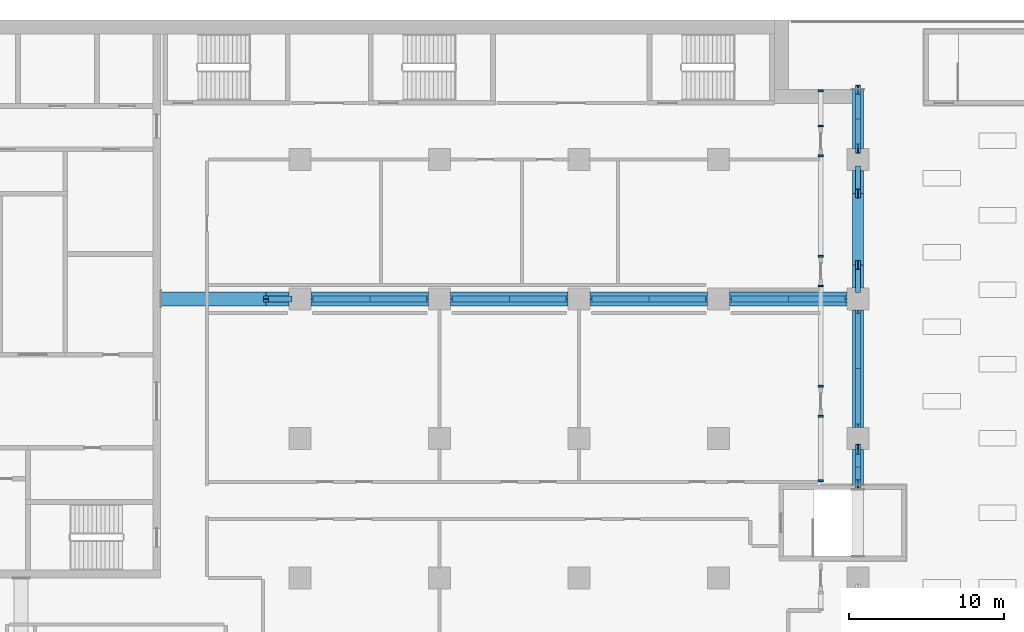
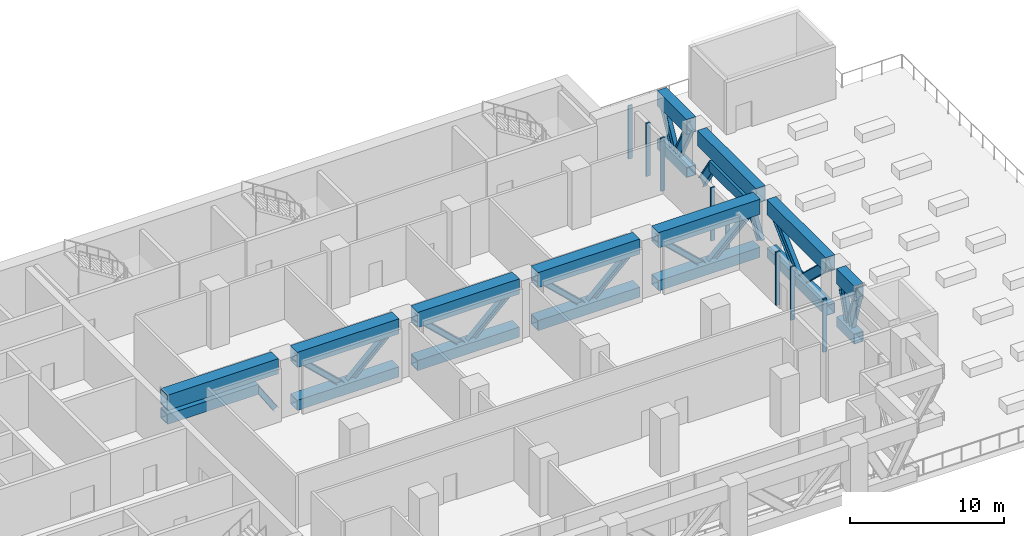
# One storey, part 4 of 24: 43 members.
"""IFC4 building model written with IfcOpenShell, lengths in metres."""

import ifcopenshell
import ifcopenshell.guid

model = None  # the IFC model being written
_history = None  # IfcOwnerHistory: only IFC2X3 demands one
_inside = {}  # id of a spatial element -> (the spatial element, [elements in it])
_under = {}  # id of a project, library or spatial element -> (it, [spatial elements below it])
_declared = {}  # id of a project -> (the project, [libraries it declares])
_typed = {}  # id of a type object -> (the type object, [elements of that type])
_made_of = {}  # id of a material, layer set ... -> (it, [elements and type objects made of it])


def new_model(schema):
    """Start an empty IFC model of exactly this schema.

    Asked for "IFC4X3", IfcOpenShell would pick the latest addendum, in which some entities
    have other attributes; the version numbers below select the first issue.
    IFC2X3 requires an IfcOwnerHistory on every rooted entity: one is made here for all.
    """
    global model, _history
    if schema == "IFC4X3":
        model = ifcopenshell.file(schema_version=(4, 3, 0, 0))
    else:
        model = ifcopenshell.file(schema=schema)
    _inside.clear()
    _under.clear()
    _declared.clear()
    _typed.clear()
    _made_of.clear()
    _history = None
    if model.schema == "IFC2X3":
        org = make("IfcOrganization", Name="unknown")
        user = make(
            "IfcPersonAndOrganization",
            ThePerson=make("IfcPerson", FamilyName="unknown"),
            TheOrganization=org,
        )
        app = make(
            "IfcApplication",
            ApplicationDeveloper=org,
            Version="unknown",
            ApplicationFullName="unknown",
            ApplicationIdentifier="unknown",
        )
        _history = make(
            "IfcOwnerHistory",
            OwningUser=user,
            OwningApplication=app,
            ChangeAction="ADDED",
            CreationDate=0,
        )
    return model


def make(cls, **values):
    """One entity of the class cls with the attributes given. An attribute that is None is left unset."""
    return model.create_entity(
        cls, **{name: value for name, value in values.items() if value is not None}
    )


def rooted(cls, **values):
    """An entity with a GlobalId (a new one), such as an element, a storey or a relation."""
    return make(cls, GlobalId=ifcopenshell.guid.new(), OwnerHistory=_history, **values)


def si_unit(unit_type, name, prefix=None):
    """IfcSIUnit, for example si_unit("LENGTHUNIT", "METRE", prefix="MILLI")."""
    return make("IfcSIUnit", UnitType=unit_type, Prefix=prefix, Name=name)


def assignment(units):
    """IfcUnitAssignment: the units of a project."""
    return None if units is None else make("IfcUnitAssignment", Units=units)


def point(xyz):
    """IfcCartesianPoint."""
    return None if xyz is None else make("IfcCartesianPoint", Coordinates=xyz)


def direction(xyz):
    """IfcDirection."""
    return None if xyz is None else make("IfcDirection", DirectionRatios=xyz)


def frame(location, z_axis=None, x_axis=None):
    """IfcAxis2Placement3D, a coordinate frame: its origin and axes. An axis left out is left unset."""
    return make(
        "IfcAxis2Placement3D",
        Location=point(location),
        Axis=direction(z_axis),
        RefDirection=direction(x_axis),
    )


def frame_2d(location, x_axis=None):
    """IfcAxis2Placement2D, a coordinate frame in the plane: its origin and x axis."""
    return make(
        "IfcAxis2Placement2D", Location=point(location), RefDirection=direction(x_axis)
    )


def origin():
    """The frame at (0, 0, 0) with its axes left unset."""
    return frame((0.0, 0.0, 0.0))


def origin_2d():
    """The frame at (0, 0) in the plane with its x axis left unset."""
    return frame_2d((0.0, 0.0))


def place(relative_to, where):
    """IfcLocalPlacement: puts the frame where relative to a parent placement (None: the world)."""
    return make(
        "IfcLocalPlacement", PlacementRelTo=relative_to, RelativePlacement=where
    )


def context(
    kind, dimensions, precision=None, world=None, true_north=None, identifier=None
):
    """IfcGeometricRepresentationContext, for example the 3D "Model" context."""
    return make(
        "IfcGeometricRepresentationContext",
        ContextIdentifier=identifier,
        ContextType=kind,
        CoordinateSpaceDimension=dimensions,
        Precision=precision,
        WorldCoordinateSystem=world,
        TrueNorth=true_north,
    )


def subcontext(parent, identifier, kind, view, scale=None):
    """IfcGeometricRepresentationSubContext, for example "Body" below "Model"."""
    return make(
        "IfcGeometricRepresentationSubContext",
        ContextIdentifier=identifier,
        ContextType=kind,
        ParentContext=parent,
        TargetScale=scale,
        TargetView=view,
    )


def project(units=None, contexts=None):
    """IfcProject with its units and contexts."""
    return rooted(
        "IfcProject",
        Name="project",
        RepresentationContexts=contexts,
        UnitsInContext=assignment(units),
    )


def spatial(cls, under=None, at=None, **own):
    """A site, building, storey or space (cls), placed at a placement, below another one or the project."""
    s = rooted(cls, ObjectPlacement=at, **own)
    if under is not None:
        _under.setdefault(under.id(), (under, []))[1].append(s)
    return s


def profile(cls, at=None, kind="AREA", **sizes):
    """A parametric profile (cls). Its sizes go by their IFC names, for example OverallWidth=200.0."""
    return make(cls, ProfileType=kind, Position=at, **sizes)


def rectangle(**sizes):
    """IfcRectangleProfileDef."""
    return profile("IfcRectangleProfileDef", **sizes)


def hollow_rectangle(**sizes):
    """IfcRectangleHollowProfileDef."""
    return profile("IfcRectangleHollowProfileDef", **sizes)


def i_section(**sizes):
    """IfcIShapeProfileDef."""
    return profile("IfcIShapeProfileDef", **sizes)


def extrude(swept, where, along, depth):
    """IfcExtrudedAreaSolid: the profile swept, set in the frame where, extruded along a direction by depth."""
    return make(
        "IfcExtrudedAreaSolid",
        SweptArea=swept,
        Position=where,
        ExtrudedDirection=direction(along),
        Depth=depth,
    )


def shape(context_of_items, identifier, shape_type, items):
    """IfcShapeRepresentation: the items that make up one representation, for example the "Body"."""
    return make(
        "IfcShapeRepresentation",
        ContextOfItems=context_of_items,
        RepresentationIdentifier=identifier,
        RepresentationType=shape_type,
        Items=items,
    )


def material(Name=None, Category=None):
    """IfcMaterial."""
    return make("IfcMaterial", Name=Name, Category=Category)


def material_profile(
    of_material, cross_section, Name=None, Category=None, Priority=None
):
    """IfcMaterialProfile: a cross section and its material."""
    return make(
        "IfcMaterialProfile",
        Name=Name,
        Material=of_material,
        Profile=cross_section,
        Priority=Priority,
        Category=Category,
    )


def profile_set(profiles, Name=None, composite=None):
    """IfcMaterialProfileSet."""
    return make(
        "IfcMaterialProfileSet",
        Name=Name,
        MaterialProfiles=profiles,
        CompositeProfile=composite,
    )


def made_of(thing, what):
    """Note that an element or type object is made of a material, layer set ...; save() writes the relation."""
    if what is not None:
        _made_of.setdefault(what.id(), (what, []))[1].append(thing)
    return thing


def type_object(cls, material=None, **own):
    """A type object (cls), such as IfcWallType, which elements share."""
    return made_of(rooted(cls, **own), material)


def element(
    cls,
    number,
    at=None,
    inside=None,
    cuts=None,
    type_object=None,
    material=None,
    context=None,
    identifier="Body",
    shape_type=None,
    held_by="IfcProductDefinitionShape",
    body=None,
    shapes=None,
    **own,
):
    """One element of the class cls, such as IfcWall. Its Tag is "e" and its number.

    at: its placement. inside: the storey or other place that contains it. cuts: it is an
    opening in that element (IfcRelVoidsElement). A single representation is given by context,
    identifier, shape_type and body (its items); several are given by shapes. held_by: the class
    of the entity that holds the representations. save() writes the other relations.
    """
    e = rooted(cls, Tag="e%d" % number, ObjectPlacement=at, **own)
    if body is not None:
        shapes = [shape(context, identifier, shape_type, body)]
    if shapes is not None:
        e.Representation = make(held_by, Representations=shapes)
    if inside is not None:
        _inside.setdefault(inside.id(), (inside, []))[1].append(e)
    if cuts is not None:
        rooted(
            "IfcRelVoidsElement", RelatingBuildingElement=cuts, RelatedOpeningElement=e
        )
    if type_object is not None:
        _typed.setdefault(type_object.id(), (type_object, []))[1].append(e)
    return made_of(e, material)


def aggregate(whole, parts):
    """IfcRelAggregates: a whole, such as a stair, and the parts it consists of."""
    return rooted("IfcRelAggregates", RelatingObject=whole, RelatedObjects=parts)


def save(model, path):
    """Write the relations noted so far, then the file.

    IfcRelAggregates (storeys below a building ...), IfcRelContainedInSpatialStructure (elements
    in a storey), IfcRelDefinesByType, IfcRelAssociatesMaterial and IfcRelDeclares: one each for
    every whole, place, type object, material and project.
    """
    for whole, parts in _under.values():
        aggregate(whole, parts)
    for where, things in _inside.values():
        rooted(
            "IfcRelContainedInSpatialStructure",
            RelatedElements=things,
            RelatingStructure=where,
        )
    for kind, things in _typed.values():
        rooted("IfcRelDefinesByType", RelatedObjects=things, RelatingType=kind)
    for what, things in _made_of.values():
        rooted("IfcRelAssociatesMaterial", RelatedObjects=things, RelatingMaterial=what)
    for by, libraries in _declared.values():
        rooted("IfcRelDeclares", RelatingContext=by, RelatedDefinitions=libraries)
    model.write(path)


model = new_model("IFC4")

# Units and contexts
model_context = context("Model", 3, precision=1e-05, world=origin(), true_north=direction((0.0, 1.0)))
body_context = subcontext(model_context, "Body", "Model", "MODEL_VIEW")
ifc_project = project(units=[si_unit("LENGTHUNIT", "METRE"), si_unit("AREAUNIT", "SQUARE_METRE"), si_unit("VOLUMEUNIT", "CUBIC_METRE"), si_unit("PLANEANGLEUNIT", "RADIAN"), si_unit("MASSUNIT", "GRAM", prefix="KILO")], contexts=[model_context])

# Site, building, storey
site_placement = place(None, origin())
site = spatial("IfcSite", under=ifc_project, at=site_placement, CompositionType="ELEMENT")
building_placement = place(site_placement, origin())
building = spatial("IfcBuilding", under=site, at=building_placement, Name="Hunhe Ridgeline Campus", CompositionType="ELEMENT")
storey_placement = place(building_placement, frame((0.0, 0.0, 80.199951171875)))
storey = spatial("IfcBuildingStorey", under=building, at=storey_placement, Name="L19", CompositionType="ELEMENT", Elevation=80.199951171875)

# Members
ifc_material_1 = material(Name="Steel Q420", Category="steel")
ifc_material_profile_1 = material_profile(ifc_material_1, hollow_rectangle(XDim=0.699951171875, YDim=0.800048828125, WallThickness=0.0400390625, at=origin_2d()))
ifc_profile_set_1 = profile_set([ifc_material_profile_1], Name="Steel Q420")
member_type_1 = type_object("IfcMemberType", Name="Belt truss bottom chord Box 800x700x40 Steel Q420", PredefinedType="CHORD", material=ifc_profile_set_1)
member_1_placement = place(storey_placement, frame((81.0, 69.010009765625, 0.400146484375), z_axis=(0.0, 1.0, 0.0), x_axis=(-1.0, 0.0, 0.0)))
element("IfcMember", 1, at=member_1_placement, inside=storey, type_object=member_type_1, Name="Belt truss BT1 bottom chord L19 76", PredefinedType="CHORD", context=body_context, shape_type="SweptSolid", body=[
    extrude(hollow_rectangle(XDim=0.699951171875, YDim=0.800048828125, WallThickness=0.0400390625, at=origin_2d()), origin(), (0.0, 0.0, 1.0), 2.2900390625),
])
member_2_placement = place(storey_placement, frame((81.0, 72.699951171875, 0.400146484375), z_axis=(0.0, 1.0, 0.0), x_axis=(-1.0, 0.0, 0.0)))
element("IfcMember", 2, at=member_2_placement, inside=storey, type_object=member_type_1, Name="Belt truss BT1 bottom chord L19 80", PredefinedType="CHORD", context=body_context, shape_type="SweptSolid", body=[
    extrude(hollow_rectangle(XDim=0.699951171875, YDim=0.800048828125, WallThickness=0.0400390625, at=origin_2d()), origin(), (0.0, 0.0, 1.0), 7.60009765625),
])
member_3_placement = place(storey_placement, frame((81.0, 83.199951171875, 2.699951171875), z_axis=(0.0, 1.0, 0.0), x_axis=(-1.0, 0.0, 0.0)))
element("IfcMember", 3, at=member_3_placement, inside=storey, type_object=member_type_1, Name="Belt truss BT1 bottom chord L19 84", PredefinedType="CHORD", context=body_context, shape_type="SweptSolid", body=[
    extrude(hollow_rectangle(XDim=0.699951171875, YDim=0.800048828125, WallThickness=0.0400390625, at=origin_2d()), origin(), (0.0, 0.0, 1.0), 4.60009765625),
])
member_4_placement = place(storey_placement, frame((81.0, 90.699951171875, 0.400146484375), z_axis=(0.0, 1.0, 0.0), x_axis=(-1.0, 0.0, 0.0)))
element("IfcMember", 4, at=member_4_placement, inside=storey, type_object=member_type_1, Name="Belt truss BT1 bottom chord L19 88", PredefinedType="CHORD", context=body_context, shape_type="SweptSolid", body=[
    extrude(hollow_rectangle(XDim=0.699951171875, YDim=0.800048828125, WallThickness=0.0400390625, at=origin_2d()), origin(), (0.0, 0.0, 1.0), 3.800048828125),
])
ifc_material_profile_2 = material_profile(ifc_material_1, i_section(OverallWidth=0.300048828125, OverallDepth=0.699951171875, WebThickness=0.012939453125, FlangeThickness=0.02392578125, FilletRadius=0.01806640625, at=origin_2d()))
ifc_profile_set_2 = profile_set([ifc_material_profile_2], Name="Steel Q420")
member_type_2 = type_object("IfcMemberType", Name="Belt truss diagonal HN700x300x13x24 Steel Q420", PredefinedType="BRACE", material=ifc_profile_set_2)
for number, where, z_axis, x_axis, name in (
    (5, (81.0, 69.010009765625, 4.0), (0.0, 0.303110289263, -0.952955482981), (-1.0, 0.0, 0.0), "Belt truss BT1 diagonal L19 77"),
    (6, (81.0, 70.155029296875, 0.400146484375), (0.0, 0.303110289263, 0.952955482981), (-1.0, 0.0, 0.0), "Belt truss BT1 diagonal L19 78"),
):
    element("IfcMember", number, at=place(storey_placement, frame(where, z_axis=z_axis, x_axis=x_axis)), inside=storey, type_object=member_type_2, Name=name, PredefinedType="BRACE", context=body_context, shape_type="SweptSolid", body=[
        extrude(i_section(OverallWidth=0.300048828125, OverallDepth=0.699951171875, WebThickness=0.012939453125, FlangeThickness=0.02392578125, FilletRadius=0.01806640625, at=origin_2d()), origin(), (0.0, 0.0, 1.0), 3.777587890625),
    ])
for number, where, z_axis, x_axis, name in (
    (7, (81.0, 72.699951171875, 4.0), (0.0, 0.725971067789, -0.687725242181), (-1.0, 0.0, 0.0), "Belt truss BT1 diagonal L19 81"),
    (8, (81.0, 76.5, 0.400146484375), (0.0, 0.725971067789, 0.687725242181), (-1.0, 0.0, 0.0), "Belt truss BT1 diagonal L19 82"),
):
    element("IfcMember", number, at=place(storey_placement, frame(where, z_axis=z_axis, x_axis=x_axis)), inside=storey, type_object=member_type_2, Name=name, PredefinedType="BRACE", context=body_context, shape_type="SweptSolid", body=[
        extrude(i_section(OverallWidth=0.300048828125, OverallDepth=0.699951171875, WebThickness=0.012939453125, FlangeThickness=0.02392578125, FilletRadius=0.01806640625, at=origin_2d()), origin(), (0.0, 0.0, 1.0), 5.234375),
    ])
for number, where, z_axis, x_axis, name in (
    (9, (81.0, 81.699951171875, 0.400146484375), (0.0, 0.546300327661, 0.837589369558), (-1.0, 0.0, 0.0), "Belt truss BT1 knee brace L19 85"),
    (10, (81.0, 87.800048828125, 2.699951171875), (0.0, 0.546300327661, -0.837589369558), (-1.0, 0.0, 0.0), "Belt truss BT1 knee brace L19 86"),
):
    element("IfcMember", number, at=place(storey_placement, frame(where, z_axis=z_axis, x_axis=x_axis)), inside=storey, type_object=member_type_2, Name=name, PredefinedType="BRACE", context=body_context, shape_type="SweptSolid", body=[
        extrude(i_section(OverallWidth=0.300048828125, OverallDepth=0.699951171875, WebThickness=0.012939453125, FlangeThickness=0.02392578125, FilletRadius=0.01806640625, at=origin_2d()), origin(), (0.0, 0.0, 1.0), 2.745849609375),
    ])
for number, where, z_axis, x_axis, name in (
    (11, (81.0, 90.699951171875, 4.0), (0.0, 0.466801620076, -0.884362056793), (-1.0, 0.0, 0.0), "Belt truss BT1 diagonal L19 89"),
    (12, (81.0, 92.60009765625, 0.400146484375), (0.0, 0.466754710256, 0.884386816079), (-1.0, 0.0, 0.0), "Belt truss BT1 diagonal L19 90"),
):
    element("IfcMember", number, at=place(storey_placement, frame(where, z_axis=z_axis, x_axis=x_axis)), inside=storey, type_object=member_type_2, Name=name, PredefinedType="BRACE", context=body_context, shape_type="SweptSolid", body=[
        extrude(i_section(OverallWidth=0.300048828125, OverallDepth=0.699951171875, WebThickness=0.012939453125, FlangeThickness=0.02392578125, FilletRadius=0.01806640625, at=origin_2d()), origin(), (0.0, 0.0, 1.0), 4.070556640625),
    ])
ifc_material_profile_3 = material_profile(ifc_material_1, hollow_rectangle(XDim=0.699951171875, YDim=1.199951171875, WallThickness=0.0400390625, at=origin_2d()))
ifc_profile_set_3 = profile_set([ifc_material_profile_3], Name="Steel Q420")
member_type_3 = type_object("IfcMemberType", Name="Belt truss top chord Box 1200x700x40 Steel Q420", PredefinedType="CHORD", material=ifc_profile_set_3)
member_5_placement = place(storey_placement, frame((81.0, 69.010009765625, 4.0), z_axis=(0.0, 1.0, 0.0), x_axis=(-1.0, 0.0, 0.0)))
element("IfcMember", 13, at=member_5_placement, inside=storey, type_object=member_type_3, Name="Belt truss BT1 top chord L19 75", PredefinedType="CHORD", context=body_context, shape_type="SweptSolid", body=[
    extrude(hollow_rectangle(XDim=0.699951171875, YDim=1.199951171875, WallThickness=0.0400390625, at=origin_2d()), origin(), (0.0, 0.0, 1.0), 2.2900390625),
])
for number, where, z_axis, x_axis, name in (
    (14, (81.0, 72.699951171875, 4.0), (0.0, 1.0, 0.0), (-1.0, 0.0, 0.0), "Belt truss BT1 top chord L19 79"),
    (15, (81.0, 81.699951171875, 4.0), (0.0, 1.0, 0.0), (-1.0, 0.0, 0.0), "Belt truss BT1 top chord L19 83"),
):
    element("IfcMember", number, at=place(storey_placement, frame(where, z_axis=z_axis, x_axis=x_axis)), inside=storey, type_object=member_type_3, Name=name, PredefinedType="CHORD", context=body_context, shape_type="SweptSolid", body=[
        extrude(hollow_rectangle(XDim=0.699951171875, YDim=1.199951171875, WallThickness=0.0400390625, at=origin_2d()), origin(), (0.0, 0.0, 1.0), 7.60009765625),
    ])
member_6_placement = place(storey_placement, frame((81.0, 90.699951171875, 4.0), z_axis=(0.0, 1.0, 0.0), x_axis=(-1.0, 0.0, 0.0)))
element("IfcMember", 16, at=member_6_placement, inside=storey, type_object=member_type_3, Name="Belt truss BT1 top chord L19 87", PredefinedType="CHORD", context=body_context, shape_type="SweptSolid", body=[
    extrude(hollow_rectangle(XDim=0.699951171875, YDim=1.199951171875, WallThickness=0.0400390625, at=origin_2d()), origin(), (0.0, 0.0, 1.0), 3.800048828125),
])
ifc_material_2 = material(Name="Aluminium 6063", Category="aluminium")
ifc_material_profile_4 = material_profile(ifc_material_2, rectangle(XDim=0.300048828125, YDim=0.1201171875, at=origin_2d()))
ifc_profile_set_4 = profile_set([ifc_material_profile_4], Name="Aluminium 6063")
member_type_4 = type_object("IfcMemberType", Name="Louvre frame jamb 120x300 Aluminium 6063", PredefinedType="USERDEFINED", material=ifc_profile_set_4)
for number, where, z_axis, x_axis, name in (
    (17, (78.59912109375, 69.260009765625, 0.0), (0.0, 0.0, 1.0), (-1.0, 0.0, 0.0), "Louvre frame jamb 26a"),
    (18, (78.59912109375, 73.440673828125, 0.0), (0.0, 0.0, 1.0), (-1.0, 0.0, 0.0), "Louvre frame jamb 26b"),
    (19, (78.59912109375, 75.360595703125, 0.0), (0.0, 0.0, 1.0), (-1.0, 0.0, 0.0), "Louvre frame jamb 27a"),
    (20, (78.59912109375, 81.84033203125, 0.0), (0.0, 0.0, 1.0), (-1.0, 0.0, 0.0), "Louvre frame jamb 27b"),
    (21, (78.59912109375, 83.76025390625, 0.0), (0.0, 0.0, 1.0), (-1.0, 0.0, 0.0), "Louvre frame jamb 28a"),
    (22, (78.59912109375, 90.240234375, 0.0), (0.0, 0.0, 1.0), (-1.0, 0.0, 0.0), "Louvre frame jamb 28b"),
    (23, (78.59912109375, 92.16015625, 0.0), (0.0, 0.0, 1.0), (-1.0, 0.0, 0.0), "Louvre frame jamb 29a"),
    (24, (78.59912109375, 94.43994140625, 0.0), (0.0, 0.0, 1.0), (-1.0, 0.0, 0.0), "Louvre frame jamb 29b"),
):
    element("IfcMember", number, at=place(storey_placement, frame(where, z_axis=z_axis, x_axis=x_axis)), inside=storey, type_object=member_type_4, Name=name, ObjectType="LOUVRE FRAME", PredefinedType="USERDEFINED", context=body_context, shape_type="SweptSolid", body=[
        extrude(rectangle(XDim=0.300048828125, YDim=0.1201171875, at=origin_2d()), origin(), (0.0, 0.0, 1.0), 4.199951171875),
    ])
ifc_material_profile_5 = material_profile(ifc_material_1, hollow_rectangle(XDim=0.89990234375, YDim=0.800048828125, WallThickness=0.050048828125, at=origin_2d()))
ifc_profile_set_5 = profile_set([ifc_material_profile_5], Name="Steel Q420")
member_type_5 = type_object("IfcMemberType", Name="Outrigger truss bottom chord Box 800x900x50 Steel Q420", PredefinedType="CHORD", material=ifc_profile_set_5)
member_7_placement = place(storey_placement, frame((36.0, 81.0, 2.699951171875), z_axis=(1.0, 0.0, 0.0), x_axis=(0.0, 1.0, 0.0)))
element("IfcMember", 25, at=member_7_placement, inside=storey, type_object=member_type_5, Name="Outrigger truss OR1 bottom chord L19 2", PredefinedType="CHORD", context=body_context, shape_type="SweptSolid", body=[
    extrude(hollow_rectangle(XDim=0.89990234375, YDim=0.800048828125, WallThickness=0.050048828125, at=origin_2d()), origin(), (0.0, 0.0, 1.0), 6.800048828125),
])
for number, where, z_axis, x_axis, name in (
    (26, (45.699951171875, 81.0, 0.400146484375), (1.0, 0.0, 0.0), (0.0, 1.0, 0.0), "Outrigger truss OR1 bottom chord L19 5"),
    (27, (54.699951171875, 81.0, 0.400146484375), (1.0, 0.0, 0.0), (0.0, 1.0, 0.0), "Outrigger truss OR1 bottom chord L19 9"),
    (28, (63.699951171875, 81.0, 0.400146484375), (1.0, 0.0, 0.0), (0.0, 1.0, 0.0), "Outrigger truss OR1 bottom chord L19 13"),
    (29, (72.699951171875, 81.0, 0.400146484375), (1.0, 0.0, 0.0), (0.0, 1.0, 0.0), "Outrigger truss OR1 bottom chord L19 17"),
):
    element("IfcMember", number, at=place(storey_placement, frame(where, z_axis=z_axis, x_axis=x_axis)), inside=storey, type_object=member_type_5, Name=name, PredefinedType="CHORD", context=body_context, shape_type="SweptSolid", body=[
        extrude(hollow_rectangle(XDim=0.89990234375, YDim=0.800048828125, WallThickness=0.050048828125, at=origin_2d()), origin(), (0.0, 0.0, 1.0), 7.60009765625),
    ])
ifc_material_profile_6 = material_profile(ifc_material_1, i_section(OverallWidth=0.405029296875, OverallDepth=0.4140625, WebThickness=0.01806640625, FlangeThickness=0.028076171875, FilletRadius=0.02197265625, at=origin_2d()))
ifc_profile_set_6 = profile_set([ifc_material_profile_6], Name="Steel Q420")
member_type_6 = type_object("IfcMemberType", Name="Outrigger truss diagonal HW414x405x18x28 Steel Q420", PredefinedType="BRACE", material=ifc_profile_set_6)
member_8_placement = place(storey_placement, frame((42.800048828125, 81.0, 2.699951171875), z_axis=(0.546300327661, 0.0, -0.837589369558), x_axis=(0.0, 1.0, 0.0)))
element("IfcMember", 30, at=member_8_placement, inside=storey, type_object=member_type_6, Name="Outrigger truss OR1 knee brace L19 3", PredefinedType="BRACE", context=body_context, shape_type="SweptSolid", body=[
    extrude(i_section(OverallWidth=0.405029296875, OverallDepth=0.4140625, WebThickness=0.01806640625, FlangeThickness=0.028076171875, FilletRadius=0.02197265625, at=origin_2d()), origin(), (0.0, 0.0, 1.0), 2.745849609375),
])
for number, where, z_axis, x_axis, name in (
    (31, (45.699951171875, 81.0, 4.0), (0.725971067789, 0.0, -0.687725242181), (0.0, 1.0, 0.0), "Outrigger truss OR1 diagonal L19 6"),
    (32, (49.5, 81.0, 0.400146484375), (0.725971067789, 0.0, 0.687725242181), (0.0, 1.0, 0.0), "Outrigger truss OR1 diagonal L19 7"),
    (33, (54.699951171875, 81.0, 4.0), (0.725971067789, 0.0, -0.687725242181), (0.0, 1.0, 0.0), "Outrigger truss OR1 diagonal L19 10"),
    (34, (58.5, 81.0, 0.400146484375), (0.725971067789, 0.0, 0.687725242181), (0.0, 1.0, 0.0), "Outrigger truss OR1 diagonal L19 11"),
    (35, (63.699951171875, 81.0, 4.0), (0.725971067789, 0.0, -0.687725242181), (0.0, 1.0, 0.0), "Outrigger truss OR1 diagonal L19 14"),
    (36, (67.5, 81.0, 0.400146484375), (0.725971067789, 0.0, 0.687725242181), (0.0, 1.0, 0.0), "Outrigger truss OR1 diagonal L19 15"),
    (37, (72.699951171875, 81.0, 4.0), (0.725971067789, 0.0, -0.687725242181), (0.0, 1.0, 0.0), "Outrigger truss OR1 diagonal L19 18"),
    (38, (76.5, 81.0, 0.400146484375), (0.725971067789, 0.0, 0.687725242181), (0.0, 1.0, 0.0), "Outrigger truss OR1 diagonal L19 19"),
):
    element("IfcMember", number, at=place(storey_placement, frame(where, z_axis=z_axis, x_axis=x_axis)), inside=storey, type_object=member_type_6, Name=name, PredefinedType="BRACE", context=body_context, shape_type="SweptSolid", body=[
        extrude(i_section(OverallWidth=0.405029296875, OverallDepth=0.4140625, WebThickness=0.01806640625, FlangeThickness=0.028076171875, FilletRadius=0.02197265625, at=origin_2d()), origin(), (0.0, 0.0, 1.0), 5.234375),
    ])
ifc_material_profile_7 = material_profile(ifc_material_1, hollow_rectangle(XDim=0.89990234375, YDim=1.199951171875, WallThickness=0.050048828125, at=origin_2d()))
ifc_profile_set_7 = profile_set([ifc_material_profile_7], Name="Steel Q420")
member_type_7 = type_object("IfcMemberType", Name="Outrigger truss top chord Box 1200x900x50 Steel Q420", PredefinedType="CHORD", material=ifc_profile_set_7)
member_9_placement = place(storey_placement, frame((36.0, 81.0, 4.0), z_axis=(1.0, 0.0, 0.0), x_axis=(0.0, 1.0, 0.0)))
element("IfcMember", 39, at=member_9_placement, inside=storey, type_object=member_type_7, Name="Outrigger truss OR1 top chord L19 1", PredefinedType="CHORD", context=body_context, shape_type="SweptSolid", body=[
    extrude(hollow_rectangle(XDim=0.89990234375, YDim=1.199951171875, WallThickness=0.050048828125, at=origin_2d()), origin(), (0.0, 0.0, 1.0), 8.300048828125),
])
for number, where, z_axis, x_axis, name in (
    (40, (45.699951171875, 81.0, 4.0), (1.0, 0.0, 0.0), (0.0, 1.0, 0.0), "Outrigger truss OR1 top chord L19 4"),
    (41, (54.699951171875, 81.0, 4.0), (1.0, 0.0, 0.0), (0.0, 1.0, 0.0), "Outrigger truss OR1 top chord L19 8"),
    (42, (63.699951171875, 81.0, 4.0), (1.0, 0.0, 0.0), (0.0, 1.0, 0.0), "Outrigger truss OR1 top chord L19 12"),
    (43, (72.699951171875, 81.0, 4.0), (1.0, 0.0, 0.0), (0.0, 1.0, 0.0), "Outrigger truss OR1 top chord L19 16"),
):
    element("IfcMember", number, at=place(storey_placement, frame(where, z_axis=z_axis, x_axis=x_axis)), inside=storey, type_object=member_type_7, Name=name, PredefinedType="CHORD", context=body_context, shape_type="SweptSolid", body=[
        extrude(hollow_rectangle(XDim=0.89990234375, YDim=1.199951171875, WallThickness=0.050048828125, at=origin_2d()), origin(), (0.0, 0.0, 1.0), 7.60009765625),
    ])

save(model, "model.ifc")
